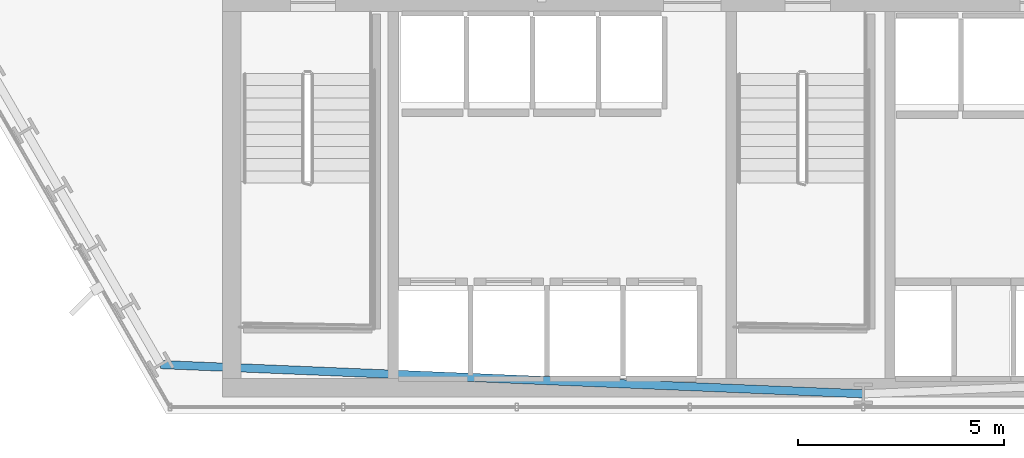
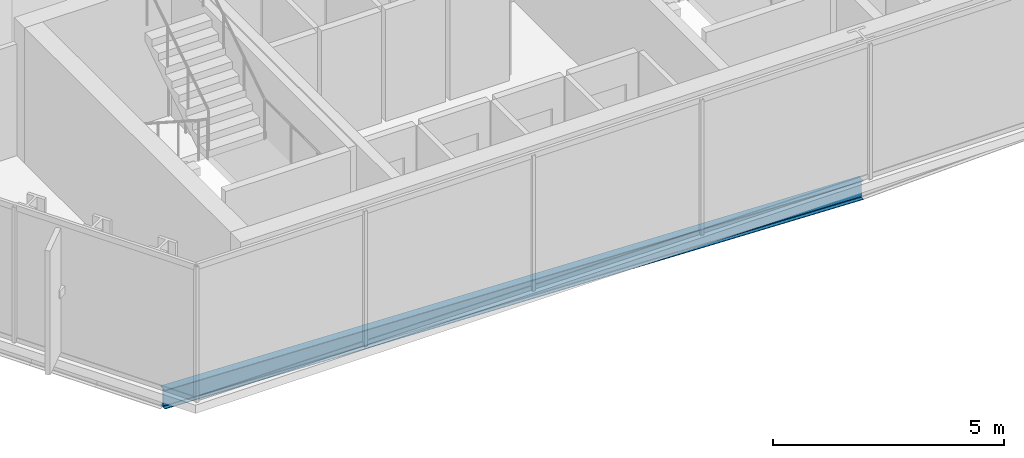
# One storey, part 3 of 31: 1 beam.
"""IFC4 building model written with IfcOpenShell, lengths in metres."""

from ifc_helpers import new_model, si_unit, direction, frame, origin, origin_2d, place, context, subcontext, project, spatial, i_section, extrude, material, material_profile, profile_set, type_object, element, save


model = new_model("IFC4")

# Units and contexts
model_context = context("Model", 3, precision=1e-05, world=origin(), true_north=direction((0.0, 1.0)))
body_context = subcontext(model_context, "Body", "Model", "MODEL_VIEW")
ifc_project = project(units=[si_unit("LENGTHUNIT", "METRE"), si_unit("AREAUNIT", "SQUARE_METRE"), si_unit("VOLUMEUNIT", "CUBIC_METRE"), si_unit("PLANEANGLEUNIT", "RADIAN"), si_unit("MASSUNIT", "GRAM", prefix="KILO")], contexts=[model_context])

# Site, building, storey
site_placement = place(None, origin())
site = spatial("IfcSite", under=ifc_project, at=site_placement, CompositionType="ELEMENT")
building_placement = place(site_placement, origin())
building = spatial("IfcBuilding", under=site, at=building_placement, Name="Ndaravel Arena Tower", CompositionType="ELEMENT")
storey_placement = place(building_placement, frame((0.0, 0.0, 100.60009765625)))
storey = spatial("IfcBuildingStorey", under=building, at=storey_placement, Name="L23", CompositionType="ELEMENT", Elevation=100.60009765625)

# Beam
ifc_material = material(Name="Steel S355", Category="steel")
ifc_material_profile = material_profile(ifc_material, i_section(OverallWidth=0.199951171875, OverallDepth=0.5, WebThickness=0.01025390625, FlangeThickness=0.01611328125, FilletRadius=0.02099609375, at=origin_2d()), Name="IPE 500")
ifc_profile_set = profile_set([ifc_material_profile], Name="Steel S355")
beam_type = type_object("IfcBeamType", Name="BM-SPAN-IPE500", PredefinedType="SPANDREL", material=ifc_profile_set)
beam_placement = place(storey_placement, frame((24.95703125, 6.189697265625, -0.47021484375), z_axis=(0.999134065017, -0.041606731707, 0.0), x_axis=(0.041606731707, 0.999134065017, 0.0)))
element("IfcBeam", 1, at=beam_placement, inside=storey, type_object=beam_type, Name="L23 Perimeter Spandrel Beam SP-27", PredefinedType="SPANDREL", context=body_context, shape_type="SweptSolid", body=[
    extrude(i_section(OverallWidth=0.199951171875, OverallDepth=0.5, WebThickness=0.01025390625, FlangeThickness=0.01611328125, FilletRadius=0.02099609375, at=origin_2d()), origin(), (0.0, 0.0, 1.0), 17.057861328125),
])

save(model, "model.ifc")
